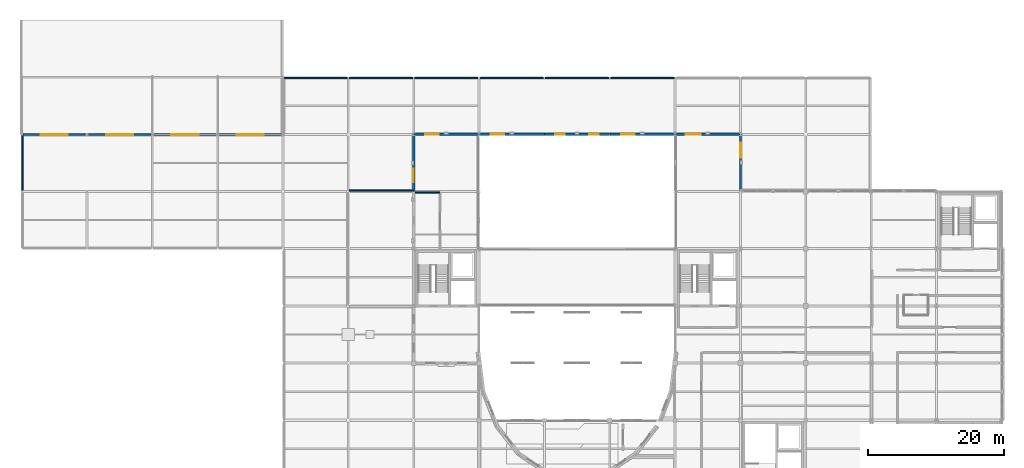
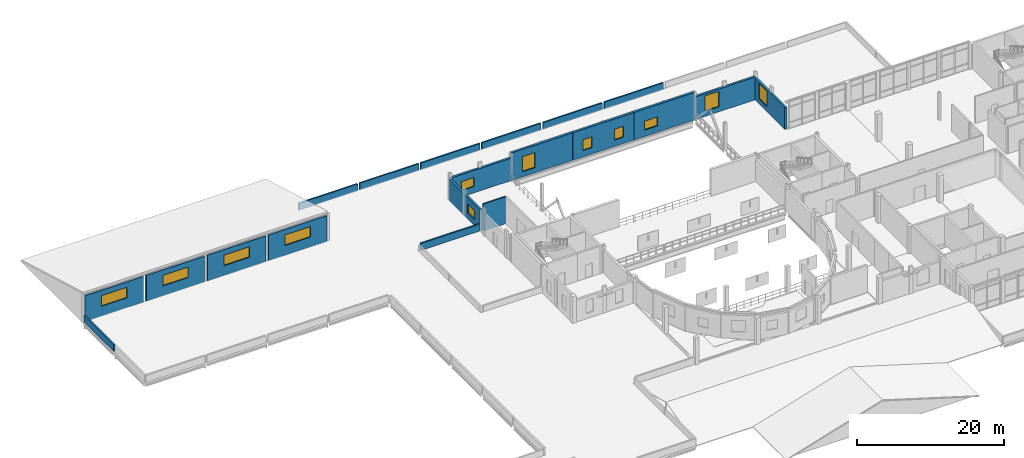
# One storey, part 42 of 52: 20 walls, 12 windows, 12 openings.
"""IFC4 building model written with IfcOpenShell, lengths in metres."""

from ifc_helpers import new_model, si_unit, direction, frame, frame_2d, origin, place, context, subcontext, project, spatial, rectangle, extrude, material, layer, layer_set, type_object, element, fill, save


model = new_model("IFC4")

# Units and contexts
model_context = context("Model", 3, precision=1e-05, world=origin(), true_north=direction((0.0, 1.0)))
body_context = subcontext(model_context, "Body", "Model", "MODEL_VIEW")
ifc_project = project(units=[si_unit("LENGTHUNIT", "METRE"), si_unit("AREAUNIT", "SQUARE_METRE"), si_unit("VOLUMEUNIT", "CUBIC_METRE"), si_unit("PLANEANGLEUNIT", "RADIAN"), si_unit("MASSUNIT", "GRAM", prefix="KILO")], contexts=[model_context])

# Site, building, storey
site_placement = place(None, origin())
site = spatial("IfcSite", under=ifc_project, at=site_placement, CompositionType="ELEMENT")
building_placement = place(site_placement, origin())
building = spatial("IfcBuilding", under=site, at=building_placement, Name="Lornevale Opera House", CompositionType="ELEMENT")
storey_placement = place(building_placement, frame((0.0, 0.0, 15.0)))
storey = spatial("IfcBuildingStorey", under=building, at=storey_placement, Name="L04", CompositionType="ELEMENT", Elevation=15.0)

# Wall, opening, window
ifc_material_1 = material(Name="Precast Concrete 40 MPa (CSA A23.1 C-1)", Category="concrete")
ifc_layer_1 = layer(ifc_material_1, 0.360107421875)
ifc_layer_set_1 = layer_set([ifc_layer_1], Name="Precast Concrete 40 MPa (CSA A23.1 C-1)")
wall_type_1 = type_object("IfcWallType", Name="Fly Tower Acoustic Precast Wall 360", PredefinedType="SOLIDWALL", material=ifc_layer_set_1)
wall_1_placement = place(storey_placement, frame((67.219970703125, 84.0, 0.0), z_axis=(0.0, 0.0, 1.0), x_axis=(1.0, 0.0, 0.0)))
wall_1 = element("IfcWall", 1, at=wall_1_placement, inside=storey, type_object=wall_type_1, Name="Fly Tower Acoustic Precast Wall 360 WL-EXT-0256", PredefinedType="SOLIDWALL", context=body_context, shape_type="SweptSolid", body=[
    extrude(rectangle(XDim=9.574951171875, YDim=0.360107421875, at=frame_2d((4.78759765625, 0.0))), origin(), (0.0, 0.0, 1.0), 4.56005859375),
])
opening_1_placement = place(wall_1_placement, frame((1.7060546875, 0.0, 0.85009765625)))
opening_1 = element("IfcOpeningElement", 2, at=opening_1_placement, cuts=wall_1, Name="Opening WN-T20", PredefinedType="OPENING", context=body_context, shape_type="SweptSolid", body=[
    extrude(rectangle(XDim=1.949951171875, YDim=2.5, at=frame_2d((0.97509765625, 1.25))), frame((0.0, 0.18994140625, 0.0), z_axis=(0.0, -1.0, 0.0), x_axis=(1.0, 0.0, 0.0)), (0.0, 0.0, 1.0), 0.380126953125),
])
ifc_material_2 = material(Name="Triple Low-E Insulated Glazing", Category="glass")
ifc_layer_2 = layer(ifc_material_2, 0.06005859375)
ifc_layer_set_2 = layer_set([ifc_layer_2], Name="Triple Low-E Insulated Glazing")
window_type_1 = type_object("IfcWindowType", Name="Belvedere Corner Window 1950x2500", PartitioningType="NOTDEFINED", PredefinedType="WINDOW", material=ifc_layer_set_2)
window_1_placement = place(opening_1_placement, origin())
window_1 = element("IfcWindow", 3, at=window_1_placement, inside=storey, type_object=window_type_1, Name="Belvedere Corner Window 1950x2500 WN-0100", OverallHeight=2.5, OverallWidth=1.949951171875, PartitioningType="SINGLE_PANEL", PredefinedType="WINDOW", context=body_context, shape_type="SweptSolid", body=[
    extrude(rectangle(XDim=1.949951171875, YDim=2.5, at=frame_2d((0.97509765625, 1.25))), frame((0.0, 0.030029296875, 0.0), z_axis=(0.0, -1.0, 0.0), x_axis=(1.0, 0.0, 0.0)), (0.0, 0.0, 1.0), 0.06005859375),
])
fill(opening_1, window_1)

# Wall, openings, windows
wall_2_placement = place(storey_placement, frame((76.804931640625, 84.0, 0.0), z_axis=(0.0, 0.0, 1.0), x_axis=(1.0, 0.0, 0.0)))
wall_2 = element("IfcWall", 4, at=wall_2_placement, inside=storey, type_object=wall_type_1, Name="Fly Tower Acoustic Precast Wall 360 WL-EXT-0257", PredefinedType="SOLIDWALL", context=body_context, shape_type="SweptSolid", body=[
    extrude(rectangle(XDim=9.590087890625, YDim=0.360107421875, at=frame_2d((4.794921875, 0.0))), origin(), (0.0, 0.0, 1.0), 4.56005859375),
])
opening_2_placement = place(wall_2_placement, frame((1.60205078125, 0.0, 1.050048828125)))
opening_2 = element("IfcOpeningElement", 5, at=opening_2_placement, cuts=wall_2, Name="Opening WN-T05", PredefinedType="OPENING", context=body_context, shape_type="SweptSolid", body=[
    extrude(rectangle(XDim=1.39990234375, YDim=1.800048828125, at=frame_2d((0.699951171875, 0.89990234375))), frame((0.0, 0.18994140625, 0.0), z_axis=(0.0, -1.0, 0.0), x_axis=(1.0, 0.0, 0.0)), (0.0, 0.0, 1.0), 0.380126953125),
])
opening_3_placement = place(wall_2_placement, frame((6.587890625, 0.0, 1.050048828125)))
opening_3 = element("IfcOpeningElement", 6, at=opening_3_placement, cuts=wall_2, Name="Opening WN-T05", PredefinedType="OPENING", context=body_context, shape_type="SweptSolid", body=[
    extrude(rectangle(XDim=1.39990234375, YDim=1.800048828125, at=frame_2d((0.699951171875, 0.89990234375))), frame((0.0, 0.18994140625, 0.0), z_axis=(0.0, -1.0, 0.0), x_axis=(1.0, 0.0, 0.0)), (0.0, 0.0, 1.0), 0.380126953125),
])
ifc_layer_3 = layer(ifc_material_2, 0.06005859375)
ifc_layer_set_3 = layer_set([ifc_layer_3], Name="Triple Low-E Insulated Glazing")
window_type_2 = type_object("IfcWindowType", Name="Dressing Suite Operable Window 1400x1800", PartitioningType="NOTDEFINED", PredefinedType="WINDOW", material=ifc_layer_set_3)
window_2_placement = place(opening_2_placement, origin())
window_2 = element("IfcWindow", 7, at=window_2_placement, inside=storey, type_object=window_type_2, Name="Dressing Suite Operable Window 1400x1800 WN-0101", OverallHeight=1.800048828125, OverallWidth=1.39990234375, PartitioningType="SINGLE_PANEL", PredefinedType="WINDOW", context=body_context, shape_type="SweptSolid", body=[
    extrude(rectangle(XDim=1.39990234375, YDim=1.800048828125, at=frame_2d((0.699951171875, 0.89990234375))), frame((0.0, 0.030029296875, 0.0), z_axis=(0.0, -1.0, 0.0), x_axis=(1.0, 0.0, 0.0)), (0.0, 0.0, 1.0), 0.06005859375),
])
fill(opening_2, window_2)
window_3_placement = place(opening_3_placement, origin())
window_3 = element("IfcWindow", 8, at=window_3_placement, inside=storey, type_object=window_type_2, Name="Dressing Suite Operable Window 1400x1800 WN-0102", OverallHeight=1.800048828125, OverallWidth=1.39990234375, PartitioningType="SINGLE_PANEL", PredefinedType="WINDOW", context=body_context, shape_type="SweptSolid", body=[
    extrude(rectangle(XDim=1.39990234375, YDim=1.800048828125, at=frame_2d((0.699951171875, 0.89990234375))), frame((0.0, 0.030029296875, 0.0), z_axis=(0.0, -1.0, 0.0), x_axis=(1.0, 0.0, 0.0)), (0.0, 0.0, 1.0), 0.06005859375),
])
fill(opening_3, window_3)

# Wall, opening, window
wall_3_placement = place(storey_placement, frame((86.405029296875, 84.0, 0.0), z_axis=(0.0, 0.0, 1.0), x_axis=(1.0, 0.0, 0.0)))
wall_3 = element("IfcWall", 9, at=wall_3_placement, inside=storey, type_object=wall_type_1, Name="Fly Tower Acoustic Precast Wall 360 WL-EXT-0258", PredefinedType="SOLIDWALL", context=body_context, shape_type="SweptSolid", body=[
    extrude(rectangle(XDim=9.574951171875, YDim=0.360107421875, at=frame_2d((4.78759765625, 0.0))), origin(), (0.0, 0.0, 1.0), 4.56005859375),
])
opening_4_placement = place(wall_3_placement, frame((1.680908203125, 0.0, 1.050048828125)))
opening_4 = element("IfcOpeningElement", 10, at=opening_4_placement, cuts=wall_3, Name="Opening WN-T11", PredefinedType="OPENING", context=body_context, shape_type="SweptSolid", body=[
    extrude(rectangle(XDim=2.0, YDim=1.5, at=frame_2d((1.0, 0.75))), frame((0.0, 0.18994140625, 0.0), z_axis=(0.0, -1.0, 0.0), x_axis=(1.0, 0.0, 0.0)), (0.0, 0.0, 1.0), 0.380126953125),
])
ifc_layer_4 = layer(ifc_material_2, 0.06005859375)
ifc_layer_set_4 = layer_set([ifc_layer_4], Name="Triple Low-E Insulated Glazing")
window_type_3 = type_object("IfcWindowType", Name="Workshop Operable Window 2000x1500", PartitioningType="NOTDEFINED", PredefinedType="WINDOW", material=ifc_layer_set_4)
window_4_placement = place(opening_4_placement, origin())
window_4 = element("IfcWindow", 11, at=window_4_placement, inside=storey, type_object=window_type_3, Name="Workshop Operable Window 2000x1500 WN-0103", OverallHeight=1.5, OverallWidth=2.0, PartitioningType="SINGLE_PANEL", PredefinedType="WINDOW", context=body_context, shape_type="SweptSolid", body=[
    extrude(rectangle(XDim=2.0, YDim=1.5, at=frame_2d((1.0, 0.75))), frame((0.0, 0.030029296875, 0.0), z_axis=(0.0, -1.0, 0.0), x_axis=(1.0, 0.0, 0.0)), (0.0, 0.0, 1.0), 0.06005859375),
])
fill(opening_4, window_4)

ifc_material_3 = material(Name="Credit Valley Sandstone Ashlar Masonry (25 MPa)", Category="masonry")
ifc_layer_5 = layer(ifc_material_3, 0.340087890625)
ifc_layer_set_5 = layer_set([ifc_layer_5], Name="Credit Valley Sandstone Ashlar Masonry (25 MPa)")
wall_type_2 = type_object("IfcWallType", Name="Polychrome Drum Cavity Wall 340", PredefinedType="SOLIDWALL", material=ifc_layer_set_5)
wall_4_placement = place(storey_placement, frame((57.6201171875, 84.0, 0.0), z_axis=(0.0, 0.0, 1.0), x_axis=(1.0, 0.0, 0.0)))
wall_4 = element("IfcWall", 12, at=wall_4_placement, inside=storey, type_object=wall_type_2, Name="Polychrome Drum Cavity Wall 340 WL-EXT-0254", PredefinedType="SOLIDWALL", context=body_context, shape_type="SweptSolid", body=[
    extrude(rectangle(XDim=9.559814453125, YDim=0.340087890625, at=frame_2d((4.77978515625, 0.0))), origin(), (0.0, 0.0, 1.0), 3.72900390625),
])
opening_5_placement = place(wall_4_placement, frame((1.677001953125, 0.0, 1.050048828125)))
opening_5 = element("IfcOpeningElement", 13, at=opening_5_placement, cuts=wall_4, Name="Opening WN-T11", PredefinedType="OPENING", context=body_context, shape_type="SweptSolid", body=[
    extrude(rectangle(XDim=2.0, YDim=1.5, at=frame_2d((1.0, 0.75))), frame((0.0, 0.179931640625, 0.0), z_axis=(0.0, -1.0, 0.0), x_axis=(1.0, 0.0, 0.0)), (0.0, 0.0, 1.0), 0.360107421875),
])
window_5_placement = place(opening_5_placement, origin())
window_5 = element("IfcWindow", 14, at=window_5_placement, inside=storey, type_object=window_type_3, Name="Workshop Operable Window 2000x1500 WN-0098", OverallHeight=1.5, OverallWidth=2.0, PartitioningType="SINGLE_PANEL", PredefinedType="WINDOW", context=body_context, shape_type="SweptSolid", body=[
    extrude(rectangle(XDim=2.0, YDim=1.5, at=frame_2d((1.0, 0.75))), frame((0.0, 0.030029296875, 0.0), z_axis=(0.0, -1.0, 0.0), x_axis=(1.0, 0.0, 0.0)), (0.0, 0.0, 1.0), 0.06005859375),
])
fill(opening_5, window_5)

wall_5_placement = place(storey_placement, frame((57.60009765625, 75.60498046875, 0.0), z_axis=(0.0, 0.0, 1.0), x_axis=(0.0, 1.0, 0.0)))
wall_5 = element("IfcWall", 15, at=wall_5_placement, inside=storey, type_object=wall_type_2, Name="Polychrome Drum Cavity Wall 340 WL-EXT-0255", PredefinedType="SOLIDWALL", context=body_context, shape_type="SweptSolid", body=[
    extrude(rectangle(XDim=8.375, YDim=0.340087890625, at=frame_2d((4.1875, 0.0))), origin(), (0.0, 0.0, 1.0), 3.575927734375),
])
opening_6_placement = place(wall_5_placement, frame((1.344970703125, 0.0, 1.050048828125)))
opening_6 = element("IfcOpeningElement", 16, at=opening_6_placement, cuts=wall_5, Name="Opening WN-T11", PredefinedType="OPENING", context=body_context, shape_type="SweptSolid", body=[
    extrude(rectangle(XDim=2.0, YDim=1.5, at=frame_2d((1.0, 0.75))), frame((0.0, 0.179931640625, 0.0), z_axis=(0.0, -1.0, 0.0), x_axis=(1.0, 0.0, 0.0)), (0.0, 0.0, 1.0), 0.360107421875),
])
window_6_placement = place(opening_6_placement, origin())
window_6 = element("IfcWindow", 17, at=window_6_placement, inside=storey, type_object=window_type_3, Name="Workshop Operable Window 2000x1500 WN-0099", OverallHeight=1.5, OverallWidth=2.0, PartitioningType="SINGLE_PANEL", PredefinedType="WINDOW", context=body_context, shape_type="SweptSolid", body=[
    extrude(rectangle(XDim=2.0, YDim=1.5, at=frame_2d((1.0, 0.75))), frame((0.0, 0.030029296875, 0.0), z_axis=(0.0, -1.0, 0.0), x_axis=(1.0, 0.0, 0.0)), (0.0, 0.0, 1.0), 0.06005859375),
])
fill(opening_6, window_6)

wall_6_placement = place(storey_placement, frame((96.02001953125, 84.0, 0.0), z_axis=(0.0, 0.0, 1.0), x_axis=(1.0, 0.0, 0.0)))
wall_6 = element("IfcWall", 18, at=wall_6_placement, inside=storey, type_object=wall_type_2, Name="Polychrome Drum Cavity Wall 340 WL-EXT-0260", PredefinedType="SOLIDWALL", context=body_context, shape_type="SweptSolid", body=[
    extrude(rectangle(XDim=9.56005859375, YDim=0.340087890625, at=frame_2d((4.780029296875, 0.0))), origin(), (0.0, 0.0, 1.0), 3.779052734375),
])
opening_7_placement = place(wall_6_placement, frame((1.576904296875, 0.0, 0.85009765625)))
opening_7 = element("IfcOpeningElement", 19, at=opening_7_placement, cuts=wall_6, Name="Opening WN-T16", PredefinedType="OPENING", context=body_context, shape_type="SweptSolid", body=[
    extrude(rectangle(XDim=2.199951171875, YDim=2.550048828125, at=frame_2d((1.10009765625, 1.27490234375))), frame((0.0, 0.179931640625, 0.0), z_axis=(0.0, -1.0, 0.0), x_axis=(1.0, 0.0, 0.0)), (0.0, 0.0, 1.0), 0.360107421875),
])
ifc_layer_6 = layer(ifc_material_2, 0.06005859375)
ifc_layer_set_6 = layer_set([ifc_layer_6], Name="Triple Low-E Insulated Glazing")
window_type_4 = type_object("IfcWindowType", Name="Manuscript Library Bay Window 2200x2550", PartitioningType="NOTDEFINED", PredefinedType="WINDOW", material=ifc_layer_set_6)
window_7_placement = place(opening_7_placement, origin())
window_7 = element("IfcWindow", 20, at=window_7_placement, inside=storey, type_object=window_type_4, Name="Manuscript Library Bay Window 2200x2550 WN-0105", OverallHeight=2.550048828125, OverallWidth=2.199951171875, PartitioningType="SINGLE_PANEL", PredefinedType="WINDOW", context=body_context, shape_type="SweptSolid", body=[
    extrude(rectangle(XDim=2.199951171875, YDim=2.550048828125, at=frame_2d((1.10009765625, 1.27490234375))), frame((0.0, 0.030029296875, 0.0), z_axis=(0.0, -1.0, 0.0), x_axis=(1.0, 0.0, 0.0)), (0.0, 0.0, 1.0), 0.06005859375),
])
fill(opening_7, window_7)

wall_7_placement = place(storey_placement, frame((105.60009765625, 83.97998046875, 0.0), z_axis=(0.0, 0.0, 1.0), x_axis=(0.0, -1.0, 0.0)))
wall_7 = element("IfcWall", 21, at=wall_7_placement, inside=storey, type_object=wall_type_2, Name="Polychrome Drum Cavity Wall 340 WL-EXT-0261", PredefinedType="SOLIDWALL", context=body_context, shape_type="SweptSolid", body=[
    extrude(rectangle(XDim=8.21337890625, YDim=0.340087890625, at=frame_2d((4.106689453125, 0.0))), origin(), (0.0, 0.0, 1.0), 3.6259765625),
])
opening_8_placement = place(wall_7_placement, frame((1.199951171875, 0.0, 0.85009765625)))
opening_8 = element("IfcOpeningElement", 22, at=opening_8_placement, cuts=wall_7, Name="Opening WN-T16", PredefinedType="OPENING", context=body_context, shape_type="SweptSolid", body=[
    extrude(rectangle(XDim=2.199951171875, YDim=2.550048828125, at=frame_2d((1.10009765625, 1.27490234375))), frame((0.0, 0.179931640625, 0.0), z_axis=(0.0, -1.0, 0.0), x_axis=(1.0, 0.0, 0.0)), (0.0, 0.0, 1.0), 0.360107421875),
])
window_8_placement = place(opening_8_placement, origin())
window_8 = element("IfcWindow", 23, at=window_8_placement, inside=storey, type_object=window_type_4, Name="Manuscript Library Bay Window 2200x2550 WN-0106", OverallHeight=2.550048828125, OverallWidth=2.199951171875, PartitioningType="SINGLE_PANEL", PredefinedType="WINDOW", context=body_context, shape_type="SweptSolid", body=[
    extrude(rectangle(XDim=2.199951171875, YDim=2.550048828125, at=frame_2d((1.10009765625, 1.27490234375))), frame((0.0, 0.030029296875, 0.0), z_axis=(0.0, -1.0, 0.0), x_axis=(1.0, 0.0, 0.0)), (0.0, 0.0, 1.0), 0.06005859375),
])
fill(opening_8, window_8)

# Wall
ifc_material_4 = material(Name="Acoustic Mineral-Core Gypsum Partition", Category="gypsum")
ifc_layer_7 = layer(ifc_material_4, 0.199951171875)
ifc_layer_set_7 = layer_set([ifc_layer_7], Name="Acoustic Mineral-Core Gypsum Partition")
wall_type_3 = type_object("IfcWallType", Name="Practice Studio Double-Stud Wall 200", PredefinedType="SOLIDWALL", material=ifc_layer_set_7)
wall_8_placement = place(storey_placement, frame((57.85009765625, 75.4599609375, 0.0), z_axis=(0.0, 0.0, 1.0), x_axis=(1.0, 0.0, 0.0)))
element("IfcWall", 24, at=wall_8_placement, inside=storey, type_object=wall_type_3, Name="L04 Partition WL-INT-0889", PredefinedType="SOLIDWALL", context=body_context, shape_type="SweptSolid", body=[
    extrude(rectangle(XDim=3.5498046875, YDim=0.199951171875, at=frame_2d((1.77490234375, 0.0))), origin(), (0.0, 0.0, 1.0), 4.47998046875),
])

# Wall, opening, window
ifc_material_5 = material(Name="Queenston Buff Limestone Ashlar Masonry (25 MPa)", Category="masonry")
ifc_layer_8 = layer(ifc_material_5, 0.31005859375)
ifc_layer_set_8 = layer_set([ifc_layer_8], Name="Queenston Buff Limestone Ashlar Masonry (25 MPa)")
wall_type_4 = type_object("IfcWallType", Name="Rehearsal Pavilion Limestone Wall 310", PredefinedType="SOLIDWALL", material=ifc_layer_set_8)
wall_9_placement = place(storey_placement, frame((0.219970703125, 84.0, 0.0), z_axis=(0.0, 0.0, 1.0), x_axis=(1.0, 0.0, 0.0)))
wall_9 = element("IfcWall", 25, at=wall_9_placement, inside=storey, type_object=wall_type_4, Name="North Studio Clerestory WL-CLR-0377", PredefinedType="SOLIDWALL", context=body_context, shape_type="SweptSolid", body=[
    extrude(rectangle(XDim=9.159912109375, YDim=0.31005859375, at=frame_2d((4.580078125, 0.0))), origin(), (0.0, 0.0, 1.0), 4.296875),
])
opening_9_placement = place(wall_9_placement, frame((2.580078125, 0.0, 1.64990234375)))
opening_9 = element("IfcOpeningElement", 26, at=opening_9_placement, cuts=wall_9, Name="Opening WN-T13", PredefinedType="OPENING", context=body_context, shape_type="SweptSolid", body=[
    extrude(rectangle(XDim=4.0, YDim=1.75, at=frame_2d((2.0, 0.875))), frame((0.0, 0.1650390625, 0.0), z_axis=(0.0, -1.0, 0.0), x_axis=(1.0, 0.0, 0.0)), (0.0, 0.0, 1.0), 0.330078125),
])
ifc_layer_9 = layer(ifc_material_2, 0.06005859375)
ifc_layer_set_9 = layer_set([ifc_layer_9], Name="Triple Low-E Insulated Glazing")
window_type_5 = type_object("IfcWindowType", Name="Monopitch North-Light Window 4000x1750", PartitioningType="NOTDEFINED", PredefinedType="WINDOW", material=ifc_layer_set_9)
window_9_placement = place(opening_9_placement, origin())
window_9 = element("IfcWindow", 27, at=window_9_placement, inside=storey, type_object=window_type_5, Name="Monopitch Clerestory Window WN-0172", OverallHeight=1.75, OverallWidth=4.0, PartitioningType="SINGLE_PANEL", PredefinedType="WINDOW", context=body_context, shape_type="SweptSolid", body=[
    extrude(rectangle(XDim=4.0, YDim=1.75, at=frame_2d((2.0, 0.875))), frame((0.0, 0.030029296875, 0.0), z_axis=(0.0, -1.0, 0.0), x_axis=(1.0, 0.0, 0.0)), (0.0, 0.0, 1.0), 0.06005859375),
])
fill(opening_9, window_9)

wall_10_placement = place(storey_placement, frame((9.820068359375, 84.0, 0.0), z_axis=(0.0, 0.0, 1.0), x_axis=(1.0, 0.0, 0.0)))
wall_10 = element("IfcWall", 28, at=wall_10_placement, inside=storey, type_object=wall_type_4, Name="North Studio Clerestory WL-CLR-0378", PredefinedType="SOLIDWALL", context=body_context, shape_type="SweptSolid", body=[
    extrude(rectangle(XDim=9.159912109375, YDim=0.31005859375, at=frame_2d((4.580078125, 0.0))), origin(), (0.0, 0.0, 1.0), 4.296875),
])
opening_10_placement = place(wall_10_placement, frame((2.580078125, 0.0, 1.64990234375)))
opening_10 = element("IfcOpeningElement", 29, at=opening_10_placement, cuts=wall_10, Name="Opening WN-T13", PredefinedType="OPENING", context=body_context, shape_type="SweptSolid", body=[
    extrude(rectangle(XDim=4.0, YDim=1.75, at=frame_2d((2.0, 0.875))), frame((0.0, 0.1650390625, 0.0), z_axis=(0.0, -1.0, 0.0), x_axis=(1.0, 0.0, 0.0)), (0.0, 0.0, 1.0), 0.330078125),
])
window_10_placement = place(opening_10_placement, origin())
window_10 = element("IfcWindow", 30, at=window_10_placement, inside=storey, type_object=window_type_5, Name="Monopitch Clerestory Window WN-0173", OverallHeight=1.75, OverallWidth=4.0, PartitioningType="SINGLE_PANEL", PredefinedType="WINDOW", context=body_context, shape_type="SweptSolid", body=[
    extrude(rectangle(XDim=4.0, YDim=1.75, at=frame_2d((2.0, 0.875))), frame((0.0, 0.030029296875, 0.0), z_axis=(0.0, -1.0, 0.0), x_axis=(1.0, 0.0, 0.0)), (0.0, 0.0, 1.0), 0.06005859375),
])
fill(opening_10, window_10)

wall_11_placement = place(storey_placement, frame((19.419921875, 84.0, 0.0), z_axis=(0.0, 0.0, 1.0), x_axis=(1.0, 0.0, 0.0)))
wall_11 = element("IfcWall", 31, at=wall_11_placement, inside=storey, type_object=wall_type_4, Name="North Studio Clerestory WL-CLR-0379", PredefinedType="SOLIDWALL", context=body_context, shape_type="SweptSolid", body=[
    extrude(rectangle(XDim=9.16015625, YDim=0.31005859375, at=frame_2d((4.580078125, 0.0))), origin(), (0.0, 0.0, 1.0), 4.296875),
])
opening_11_placement = place(wall_11_placement, frame((2.580078125, 0.0, 1.64990234375)))
opening_11 = element("IfcOpeningElement", 32, at=opening_11_placement, cuts=wall_11, Name="Opening WN-T13", PredefinedType="OPENING", context=body_context, shape_type="SweptSolid", body=[
    extrude(rectangle(XDim=4.0, YDim=1.75, at=frame_2d((2.0, 0.875))), frame((0.0, 0.1650390625, 0.0), z_axis=(0.0, -1.0, 0.0), x_axis=(1.0, 0.0, 0.0)), (0.0, 0.0, 1.0), 0.330078125),
])
window_11_placement = place(opening_11_placement, origin())
window_11 = element("IfcWindow", 33, at=window_11_placement, inside=storey, type_object=window_type_5, Name="Monopitch Clerestory Window WN-0174", OverallHeight=1.75, OverallWidth=4.0, PartitioningType="SINGLE_PANEL", PredefinedType="WINDOW", context=body_context, shape_type="SweptSolid", body=[
    extrude(rectangle(XDim=4.0, YDim=1.75, at=frame_2d((2.0, 0.875))), frame((0.0, 0.030029296875, 0.0), z_axis=(0.0, -1.0, 0.0), x_axis=(1.0, 0.0, 0.0)), (0.0, 0.0, 1.0), 0.06005859375),
])
fill(opening_11, window_11)

wall_12_placement = place(storey_placement, frame((29.02001953125, 84.0, 0.0), z_axis=(0.0, 0.0, 1.0), x_axis=(1.0, 0.0, 0.0)))
wall_12 = element("IfcWall", 34, at=wall_12_placement, inside=storey, type_object=wall_type_4, Name="North Studio Clerestory WL-CLR-0380", PredefinedType="SOLIDWALL", context=body_context, shape_type="SweptSolid", body=[
    extrude(rectangle(XDim=9.159912109375, YDim=0.31005859375, at=frame_2d((4.580078125, 0.0))), origin(), (0.0, 0.0, 1.0), 4.296875),
])
opening_12_placement = place(wall_12_placement, frame((2.580078125, 0.0, 1.64990234375)))
opening_12 = element("IfcOpeningElement", 35, at=opening_12_placement, cuts=wall_12, Name="Opening WN-T13", PredefinedType="OPENING", context=body_context, shape_type="SweptSolid", body=[
    extrude(rectangle(XDim=4.0, YDim=1.75, at=frame_2d((2.0, 0.875))), frame((0.0, 0.1650390625, 0.0), z_axis=(0.0, -1.0, 0.0), x_axis=(1.0, 0.0, 0.0)), (0.0, 0.0, 1.0), 0.330078125),
])
window_12_placement = place(opening_12_placement, origin())
window_12 = element("IfcWindow", 36, at=window_12_placement, inside=storey, type_object=window_type_5, Name="Monopitch Clerestory Window WN-0175", OverallHeight=1.75, OverallWidth=4.0, PartitioningType="SINGLE_PANEL", PredefinedType="WINDOW", context=body_context, shape_type="SweptSolid", body=[
    extrude(rectangle(XDim=4.0, YDim=1.75, at=frame_2d((2.0, 0.875))), frame((0.0, 0.030029296875, 0.0), z_axis=(0.0, -1.0, 0.0), x_axis=(1.0, 0.0, 0.0)), (0.0, 0.0, 1.0), 0.06005859375),
])
fill(opening_12, window_12)

# Walls
ifc_layer_10 = layer(ifc_material_5, 0.239990234375)
ifc_layer_set_10 = layer_set([ifc_layer_10], Name="Queenston Buff Limestone Ashlar Masonry (25 MPa)")
wall_type_5 = type_object("IfcWallType", Name="Stone Coped Parapet Wall 240", PredefinedType="PARAPET", material=ifc_layer_set_10)
wall_13_placement = place(storey_placement, frame((0.1298828125, 75.760009765625, 0.0), z_axis=(0.0, 0.0, 1.0), x_axis=(0.0, 1.0, 0.0)))
element("IfcWall", 37, at=wall_13_placement, inside=storey, type_object=wall_type_5, Name="Stone Coped Parapet Wall 240 0438", PredefinedType="PARAPET", context=body_context, shape_type="SweptSolid", body=[
    extrude(rectangle(XDim=8.080078125, YDim=0.239990234375, at=frame_2d((4.0400390625, 0.0))), origin(), (0.0, 0.0, 1.0), 1.14990234375),
])
for number, where, z_axis, x_axis, name in (
    (38, (38.56005859375, 92.27001953125, 0.0), (0.0, 0.0, 1.0), (1.0, 0.0, 0.0), "Stone Coped Parapet Wall 240 0439"),
    (39, (48.159912109375, 92.27001953125, 0.0), (0.0, 0.0, 1.0), (1.0, 0.0, 0.0), "Stone Coped Parapet Wall 240 0440"),
    (40, (57.760009765625, 92.27001953125, 0.0), (0.0, 0.0, 1.0), (1.0, 0.0, 0.0), "Stone Coped Parapet Wall 240 0441"),
):
    element("IfcWall", number, at=place(storey_placement, frame(where, z_axis=z_axis, x_axis=x_axis)), inside=storey, type_object=wall_type_5, Name=name, PredefinedType="PARAPET", context=body_context, shape_type="SweptSolid", body=[
        extrude(rectangle(XDim=9.280029296875, YDim=0.239990234375, at=frame_2d((4.64013671875, 0.0))), origin(), (0.0, 0.0, 1.0), 1.14990234375),
    ])
wall_14_placement = place(storey_placement, frame((67.360107421875, 92.27001953125, 0.0), z_axis=(0.0, 0.0, 1.0), x_axis=(1.0, 0.0, 0.0)))
element("IfcWall", 41, at=wall_14_placement, inside=storey, type_object=wall_type_5, Name="Stone Coped Parapet Wall 240 0442", PredefinedType="PARAPET", context=body_context, shape_type="SweptSolid", body=[
    extrude(rectangle(XDim=9.27978515625, YDim=0.239990234375, at=frame_2d((4.639892578125, 0.0))), origin(), (0.0, 0.0, 1.0), 1.14990234375),
])
for number, where, z_axis, x_axis, name in (
    (42, (76.9599609375, 92.27001953125, 0.0), (0.0, 0.0, 1.0), (1.0, 0.0, 0.0), "Stone Coped Parapet Wall 240 0443"),
    (43, (86.56005859375, 92.27001953125, 0.0), (0.0, 0.0, 1.0), (1.0, 0.0, 0.0), "Stone Coped Parapet Wall 240 0444"),
    (44, (57.43994140625, 75.72998046875, 0.0), (0.0, 0.0, 1.0), (-1.0, 0.0, 0.0), "Stone Coped Parapet Wall 240 0450"),
):
    element("IfcWall", number, at=place(storey_placement, frame(where, z_axis=z_axis, x_axis=x_axis)), inside=storey, type_object=wall_type_5, Name=name, PredefinedType="PARAPET", context=body_context, shape_type="SweptSolid", body=[
        extrude(rectangle(XDim=9.280029296875, YDim=0.239990234375, at=frame_2d((4.64013671875, 0.0))), origin(), (0.0, 0.0, 1.0), 1.14990234375),
    ])

save(model, "model.ifc")
